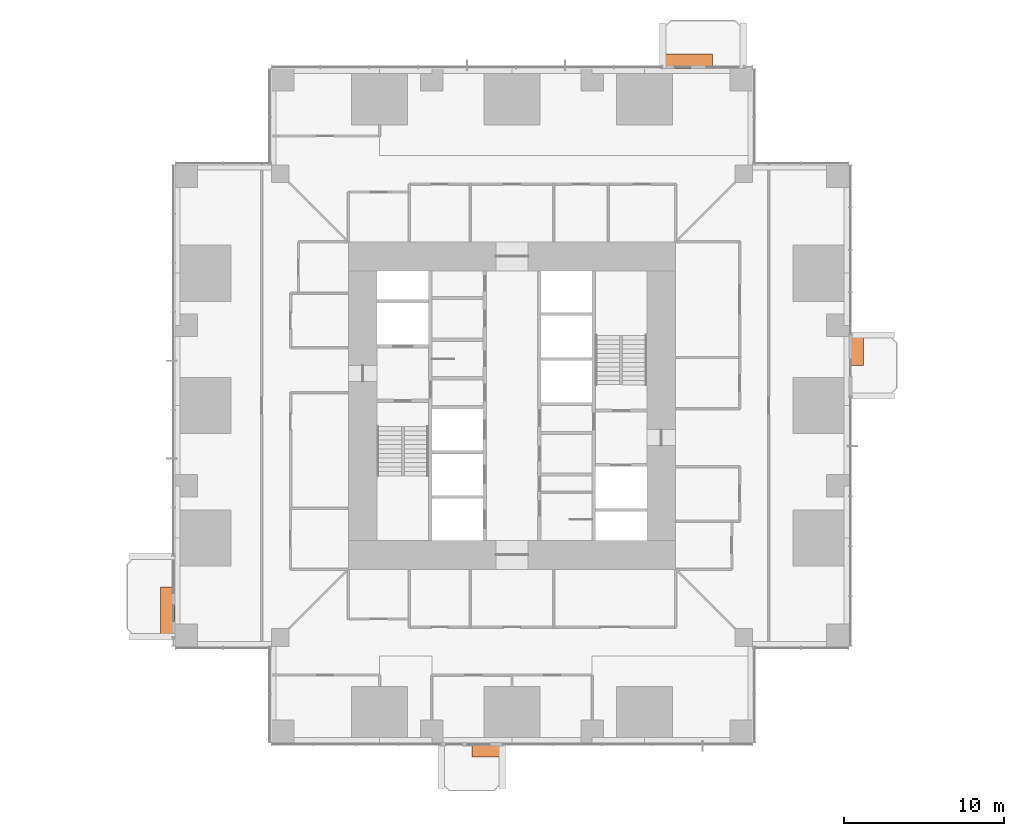
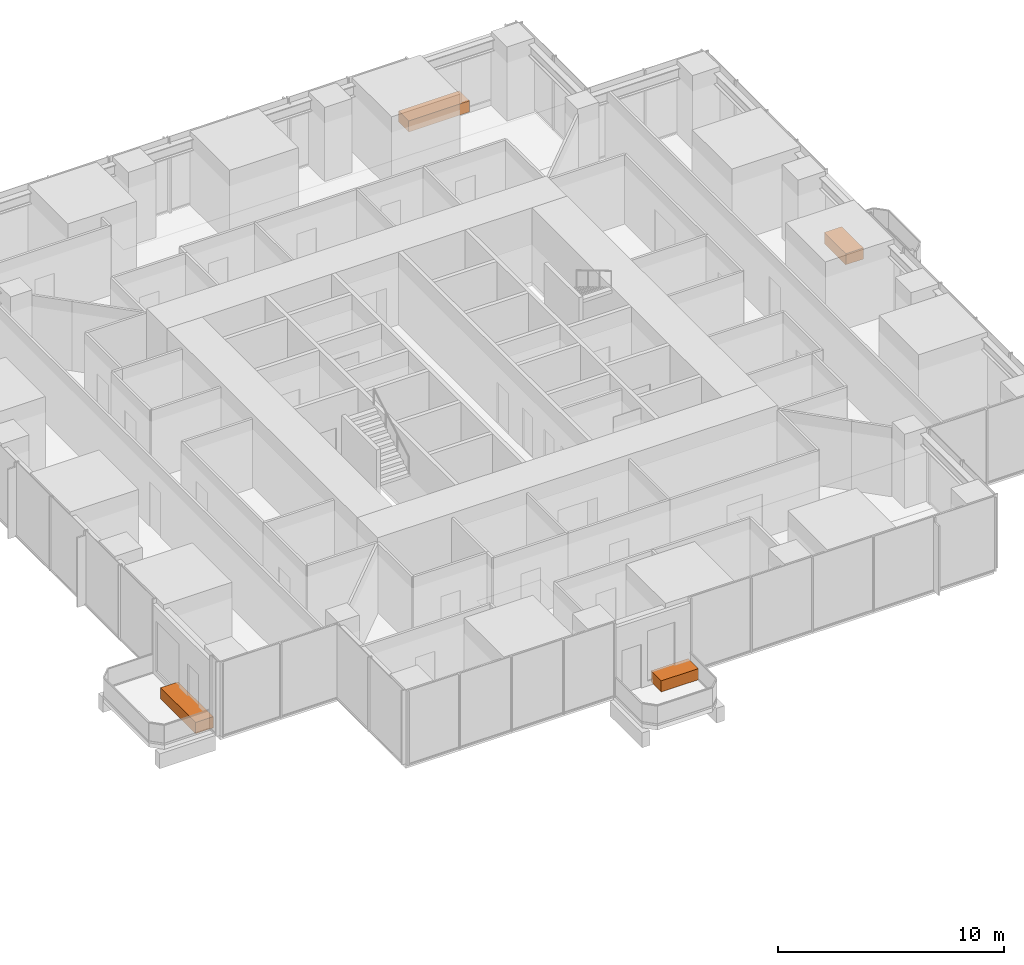
# One storey, part 16 of 16: 4 proxies.
"""IFC4 building model written with IfcOpenShell, lengths in metres."""

from ifc_helpers import new_model, si_unit, direction, frame, origin, origin_2d, place, context, subcontext, project, spatial, rectangle, extrude, element, save


model = new_model("IFC4")

# Units and contexts
model_context = context("Model", 3, precision=1e-05, world=origin(), true_north=direction((0.0, 1.0)))
body_context = subcontext(model_context, "Body", "Model", "MODEL_VIEW")
ifc_project = project(units=[si_unit("LENGTHUNIT", "METRE"), si_unit("AREAUNIT", "SQUARE_METRE"), si_unit("VOLUMEUNIT", "CUBIC_METRE"), si_unit("PLANEANGLEUNIT", "RADIAN"), si_unit("MASSUNIT", "GRAM", prefix="KILO")], contexts=[model_context])

# Site, building, storey
site_placement = place(None, origin())
site = spatial("IfcSite", under=ifc_project, at=site_placement, CompositionType="ELEMENT")
building_placement = place(site_placement, origin())
building = spatial("IfcBuilding", under=site, at=building_placement, Name="Svetlomir Tower", CompositionType="ELEMENT")
storey_placement = place(building_placement, frame((0.0, 0.0, 22.5)))
storey = spatial("IfcBuildingStorey", under=building, at=storey_placement, Name="L04", CompositionType="ELEMENT", Elevation=22.5)

# Proxies
proxy_1_placement = place(storey_placement, frame((19.449951171875, -0.449951171875, 0.0400390625), z_axis=(0.0, 0.0, 1.0), x_axis=(1.0, 0.0, 0.0)))
element("IfcBuildingElementProxy", 1, at=proxy_1_placement, inside=storey, Name="Tree planter S L04", ObjectType="PLANTER", PredefinedType="USERDEFINED", context=body_context, shape_type="SweptSolid", body=[
    extrude(rectangle(XDim=1.89990234375, YDim=0.89990234375, at=origin_2d()), origin(), (0.0, 0.0, 1.0), 0.60009765625),
])
proxy_2_placement = place(storey_placement, frame((42.449951171875, 24.449951171875, 0.0400390625), z_axis=(0.0, 0.0, 1.0), x_axis=(1.0, 0.0, 0.0)))
element("IfcBuildingElementProxy", 2, at=proxy_2_placement, inside=storey, Name="Tree planter E L04", ObjectType="PLANTER", PredefinedType="USERDEFINED", context=body_context, shape_type="SweptSolid", body=[
    extrude(rectangle(XDim=0.89990234375, YDim=1.89990234375, at=origin_2d()), origin(), (0.0, 0.0, 1.0), 0.60009765625),
])
proxy_3_placement = place(storey_placement, frame((31.949951171875, 42.449951171875, 0.0400390625), z_axis=(0.0, 0.0, 1.0), x_axis=(1.0, 0.0, 0.0)))
element("IfcBuildingElementProxy", 3, at=proxy_3_placement, inside=storey, Name="Tree planter N L04", ObjectType="PLANTER", PredefinedType="USERDEFINED", context=body_context, shape_type="SweptSolid", body=[
    extrude(rectangle(XDim=3.10009765625, YDim=0.89990234375, at=origin_2d()), origin(), (0.0, 0.0, 1.0), 0.60009765625),
])
proxy_4_placement = place(storey_placement, frame((-0.449951171875, 8.14990234375, 0.0400390625), z_axis=(0.0, 0.0, 1.0), x_axis=(1.0, 0.0, 0.0)))
element("IfcBuildingElementProxy", 4, at=proxy_4_placement, inside=storey, Name="Tree planter W L04", ObjectType="PLANTER", PredefinedType="USERDEFINED", context=body_context, shape_type="SweptSolid", body=[
    extrude(rectangle(XDim=0.89990234375, YDim=3.10009765625, at=origin_2d()), origin(), (0.0, 0.0, 1.0), 0.60009765625),
])

save(model, "model.ifc")
